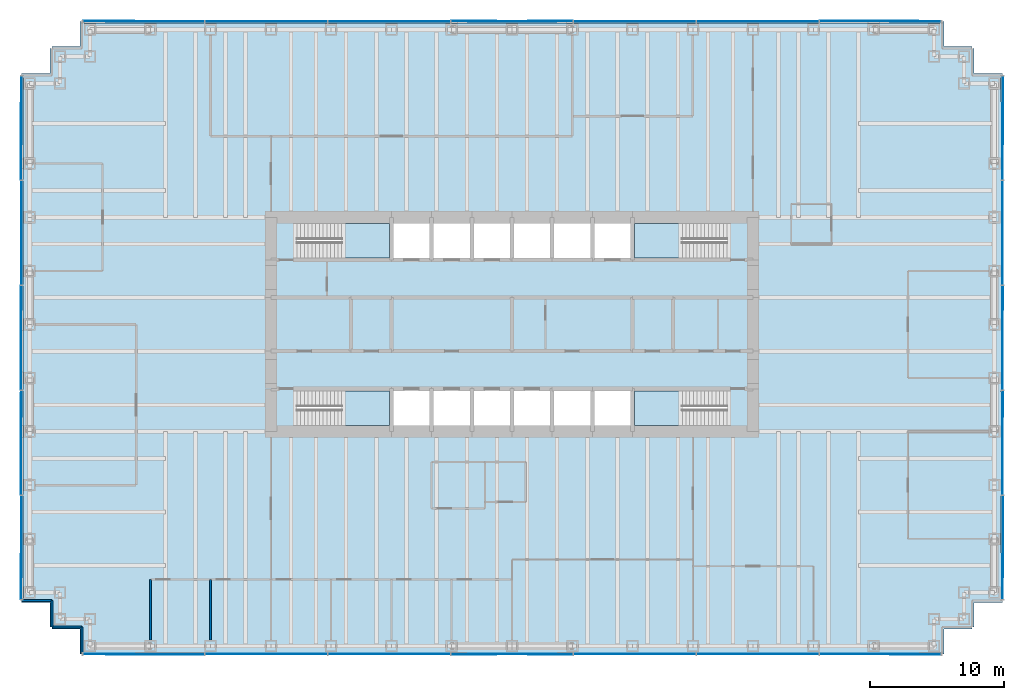
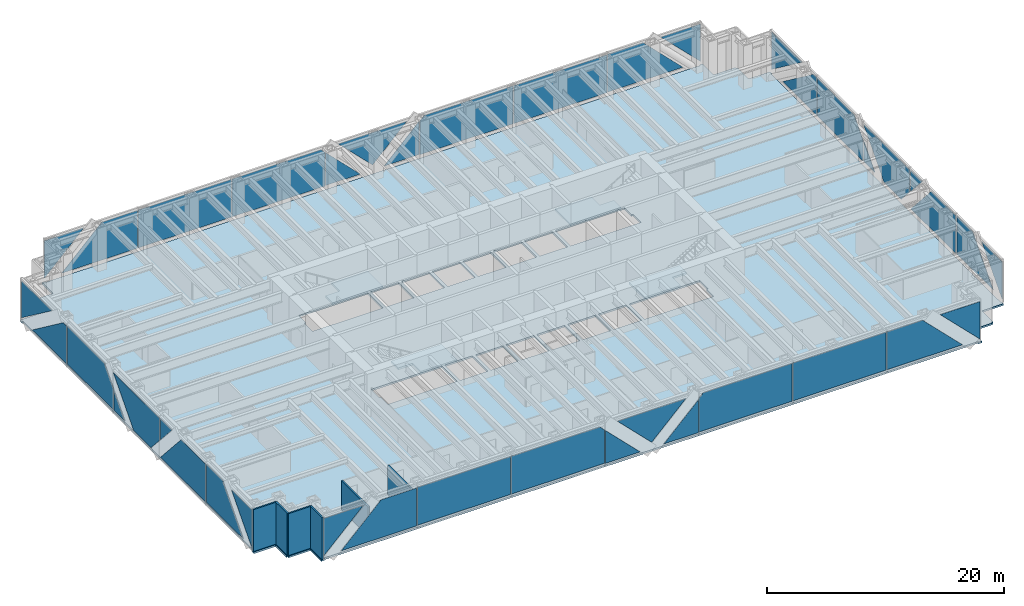
# One storey, part 8 of 13: 40 plates, 6 walls, 5 slabs, 8 elements without a shape of their own.
"""IFC4 building model written with IfcOpenShell, lengths in metres."""

from ifc_helpers import new_model, si_unit, direction, frame, frame_2d, origin, origin_2d, place, context, subcontext, project, spatial, polyline, rectangle, outline, extrude, material, layer, layer_set, type_object, element, aggregate, save


model = new_model("IFC4")

# Units and contexts
model_context = context("Model", 3, precision=1e-05, world=origin(), true_north=direction((0.0, 1.0)))
body_context = subcontext(model_context, "Body", "Model", "MODEL_VIEW")
ifc_project = project(units=[si_unit("LENGTHUNIT", "METRE"), si_unit("AREAUNIT", "SQUARE_METRE"), si_unit("VOLUMEUNIT", "CUBIC_METRE"), si_unit("PLANEANGLEUNIT", "RADIAN"), si_unit("MASSUNIT", "GRAM", prefix="KILO")], contexts=[model_context])

# Site, building, storey
site_placement = place(None, origin())
site = spatial("IfcSite", under=ifc_project, at=site_placement, CompositionType="ELEMENT")
building_placement = place(site_placement, origin())
building = spatial("IfcBuilding", under=site, at=building_placement, Name="Rheinbord Bourse Tower", CompositionType="ELEMENT")
storey_placement = place(building_placement, frame((0.0, 0.0, 63.5)))
storey = spatial("IfcBuildingStorey", under=building, at=storey_placement, Name="L13", CompositionType="ELEMENT", Elevation=63.5)

# Slab
ifc_material_1 = material(Name="Concrete C30/37", Category="concrete")
ifc_layer_1 = layer(ifc_material_1, 0.179931640625)
ifc_layer_set_1 = layer_set([ifc_layer_1], Name="COMPOSITE FLOOR SLAB 180")
slab_type_1 = type_object("IfcSlabType", Name="COMPOSITE FLOOR SLAB 180", PredefinedType="FLOOR", material=ifc_layer_set_1)
slab_1_placement = place(storey_placement, frame((0.0, 0.0, -0.179931640625)))
element("IfcSlab", 1, at=slab_1_placement, inside=storey, type_object=slab_type_1, Name="Floor slab L13", PredefinedType="FLOOR", context=body_context, shape_type="SweptSolid", body=[
    extrude(outline(polyline([(1.64990234375, 1.39990234375), (1.5, 1.39990234375), (1.5, 3.25), (-0.60009765625, 3.25), (-0.60009765625, 3.550048828125), (-0.5, 3.550048828125), (-0.5, 42.449951171875), (-0.60009765625, 42.449951171875), (-0.60009765625, 42.75), (1.5, 42.75), (1.5, 44.60009765625), (1.64990234375, 44.60009765625), (1.64990234375, 44.75), (3.75, 44.75), (3.75, 46.60009765625), (4.050048828125, 46.60009765625), (4.050048828125, 46.5), (67.949951171875, 46.5), (67.949951171875, 46.60009765625), (68.25, 46.60009765625), (68.25, 44.75), (70.35009765625, 44.75), (70.35009765625, 44.60009765625), (70.5, 44.60009765625), (70.5, 42.75), (72.60009765625, 42.75), (72.60009765625, 42.449951171875), (72.5, 42.449951171875), (72.5, 3.550048828125), (72.60009765625, 3.550048828125), (72.60009765625, 3.25), (70.5, 3.25), (70.5, 1.39990234375), (70.35009765625, 1.39990234375), (70.35009765625, 1.25), (68.25, 1.25), (68.25, -0.60009765625), (67.949951171875, -0.60009765625), (67.949951171875, -0.5), (4.050048828125, -0.5), (4.050048828125, -0.60009765625), (3.75, -0.60009765625), (3.75, 1.25), (1.64990234375, 1.25), (1.64990234375, 1.39990234375)]), holes=[polyline([(19.949951171875, 19.050048828125), (26.85009765625, 19.050048828125), (26.85009765625, 16.449951171875), (20.10009765625, 16.449951171875), (20.10009765625, 17.64990234375), (19.949951171875, 17.64990234375), (19.949951171875, 19.050048828125)]), polyline([(26.85009765625, 31.550048828125), (26.85009765625, 28.949951171875), (19.949951171875, 28.949951171875), (19.949951171875, 30.35009765625), (20.10009765625, 30.35009765625), (20.10009765625, 31.550048828125), (26.85009765625, 31.550048828125)]), polyline([(45.14990234375, 16.449951171875), (45.14990234375, 19.050048828125), (52.050048828125, 19.050048828125), (52.050048828125, 17.64990234375), (51.89990234375, 17.64990234375), (51.89990234375, 16.449951171875), (45.14990234375, 16.449951171875)]), polyline([(52.050048828125, 28.949951171875), (45.14990234375, 28.949951171875), (45.14990234375, 31.550048828125), (51.89990234375, 31.550048828125), (51.89990234375, 30.35009765625), (52.050048828125, 30.35009765625), (52.050048828125, 28.949951171875)]), polyline([(27.14990234375, 16.449951171875), (27.14990234375, 19.050048828125), (29.85009765625, 19.050048828125), (29.85009765625, 16.449951171875), (27.14990234375, 16.449951171875)]), polyline([(27.14990234375, 28.949951171875), (27.14990234375, 31.550048828125), (29.85009765625, 31.550048828125), (29.85009765625, 28.949951171875), (27.14990234375, 28.949951171875)]), polyline([(30.14990234375, 16.449951171875), (30.14990234375, 19.050048828125), (32.85009765625, 19.050048828125), (32.85009765625, 16.449951171875), (30.14990234375, 16.449951171875)]), polyline([(30.14990234375, 28.949951171875), (30.14990234375, 31.550048828125), (32.85009765625, 31.550048828125), (32.85009765625, 28.949951171875), (30.14990234375, 28.949951171875)]), polyline([(33.14990234375, 16.449951171875), (33.14990234375, 19.050048828125), (35.85009765625, 19.050048828125), (35.85009765625, 16.449951171875), (33.14990234375, 16.449951171875)]), polyline([(33.14990234375, 28.949951171875), (33.14990234375, 31.550048828125), (35.85009765625, 31.550048828125), (35.85009765625, 28.949951171875), (33.14990234375, 28.949951171875)]), polyline([(36.14990234375, 16.449951171875), (36.14990234375, 19.050048828125), (38.85009765625, 19.050048828125), (38.85009765625, 16.449951171875), (36.14990234375, 16.449951171875)]), polyline([(36.14990234375, 28.949951171875), (36.14990234375, 31.550048828125), (38.85009765625, 31.550048828125), (38.85009765625, 28.949951171875), (36.14990234375, 28.949951171875)]), polyline([(39.14990234375, 16.449951171875), (39.14990234375, 19.050048828125), (41.85009765625, 19.050048828125), (41.85009765625, 16.449951171875), (39.14990234375, 16.449951171875)]), polyline([(39.14990234375, 28.949951171875), (39.14990234375, 31.550048828125), (41.85009765625, 31.550048828125), (41.85009765625, 28.949951171875), (39.14990234375, 28.949951171875)]), polyline([(42.14990234375, 16.449951171875), (42.14990234375, 19.050048828125), (44.85009765625, 19.050048828125), (44.85009765625, 16.449951171875), (42.14990234375, 16.449951171875)]), polyline([(42.14990234375, 28.949951171875), (42.14990234375, 31.550048828125), (44.85009765625, 31.550048828125), (44.85009765625, 28.949951171875), (42.14990234375, 28.949951171875)])]), origin(), (0.0, 0.0, 1.0), 0.179931640625),
])

# Curtain wall, plates
ifc_material_2 = material(Name="Dark glass and black aluminium", Category="aluminium")
curtain_wall_type = type_object("IfcCurtainWallType", Name="CW1 DARK GLASS CURTAIN WALL", PredefinedType="USERDEFINED", material=ifc_material_2)
curtain_wall_1_placement = place(storey_placement, origin())
curtain_wall_1 = element("IfcCurtainWall", 2, at=curtain_wall_1_placement, inside=storey, type_object=curtain_wall_type, Name="Curtain wall CW1 S L13", ObjectType="UNITISED CURTAIN WALL", PredefinedType="USERDEFINED")
ifc_material_3 = material(Name="Dark tinted triple insulating glass", Category="glass")
ifc_layer_2 = layer(ifc_material_3, 0.0439453125)
ifc_layer_set_2 = layer_set([ifc_layer_2], Name="CW1 DARK GLASS PANEL")
plate_type = type_object("IfcPlateType", Name="CW1 DARK GLASS PANEL", PredefinedType="CURTAIN_PANEL", material=ifc_layer_set_2)
plate_1_placement = place(storey_placement, frame((17.6572265625, -0.60009765625, 0.300048828125), z_axis=(0.0, 0.0, 1.0), x_axis=(1.0, 0.0, 0.0)))
plate_1 = element("IfcPlate", 3, at=plate_1_placement, type_object=plate_type, Name="CW1 panel 2.1", PredefinedType="CURTAIN_PANEL", context=body_context, shape_type="SweptSolid", body=[
    extrude(rectangle(XDim=9.09130859375, YDim=0.0439453125, at=origin_2d()), origin(), (0.0, 0.0, 1.0), 3.89990234375),
])
plate_2_placement = place(storey_placement, frame((54.3427734375, -0.60009765625, 0.300048828125), z_axis=(0.0, 0.0, 1.0), x_axis=(1.0, 0.0, 0.0)))
plate_2 = element("IfcPlate", 4, at=plate_2_placement, type_object=plate_type, Name="CW1 panel 6.1", PredefinedType="CURTAIN_PANEL", context=body_context, shape_type="SweptSolid", body=[
    extrude(rectangle(XDim=9.09130859375, YDim=0.0439453125, at=origin_2d()), origin(), (0.0, 0.0, 1.0), 3.89990234375),
])
plate_3_placement = place(storey_placement, frame((3.97998046875, -0.6220703125, 4.199951171875), z_axis=(0.0, 1.0, 0.0), x_axis=(1.0, 0.0, 0.0)))
plate_3 = element("IfcPlate", 5, at=plate_3_placement, type_object=plate_type, Name="CW1 glass facet 1", PredefinedType="CURTAIN_PANEL", context=body_context, shape_type="SweptSolid", body=[
    extrude(outline(polyline([(0.0, 0.0), (3.864013671875, 0.0), (0.0, 3.864013671875), (0.0, 0.0)])), origin(), (0.0, 0.0, 1.0), 0.0439453125),
])
plate_4_placement = place(storey_placement, frame((13.031005859375, -0.6708984375, 4.199951171875), z_axis=(0.0, 1.0, 0.0), x_axis=(0.0, 0.0, -1.0)))
plate_4 = element("IfcPlate", 6, at=plate_4_placement, type_object=plate_type, Name="CW1 glass facet 2", PredefinedType="CURTAIN_PANEL", context=body_context, shape_type="SweptSolid", body=[
    extrude(outline(polyline([(0.0, 0.0), (3.89990234375, 0.0), (3.89990234375, 7.375), (0.0, 3.47509765625), (0.0, 0.0)])), origin(), (0.0, 0.0, 1.0), 0.0439453125),
])
plate_5_placement = place(storey_placement, frame((31.3740234375, -0.6220703125, 0.300048828125), z_axis=(0.0, 1.0, 0.0), x_axis=(-1.0, 0.0, 0.0)))
plate_5 = element("IfcPlate", 7, at=plate_5_placement, type_object=plate_type, Name="CW1 glass facet 1", PredefinedType="CURTAIN_PANEL", context=body_context, shape_type="SweptSolid", body=[
    extrude(outline(polyline([(0.0, 0.0), (9.091064453125, 0.0), (9.091064453125, 3.89990234375), (0.429931640625, 3.89990234375), (0.0, 3.469970703125), (0.0, 0.0)])), origin(), (0.0, 0.0, 1.0), 0.0439453125),
])
plate_6_placement = place(storey_placement, frame((31.4541015625, -0.6708984375, 0.300048828125), z_axis=(0.0, 1.0, 0.0), x_axis=(0.0, 0.0, 1.0)))
plate_6 = element("IfcPlate", 8, at=plate_6_placement, type_object=plate_type, Name="CW1 glass facet 1", PredefinedType="CURTAIN_PANEL", context=body_context, shape_type="SweptSolid", body=[
    extrude(outline(polyline([(0.0, 0.0), (3.389892578125, 0.0), (0.0, 3.389892578125), (0.0, 0.0)])), origin(), (0.0, 0.0, 1.0), 0.0439453125),
])
plate_7_placement = place(storey_placement, frame((39.343994140625, -0.6220703125, 4.199951171875), z_axis=(0.0, 1.0, 0.0), x_axis=(-0.707106781187, 0.0, -0.707106781187)))
plate_7 = element("IfcPlate", 9, at=plate_7_placement, type_object=plate_type, Name="CW1 glass facet 2", PredefinedType="CURTAIN_PANEL", context=body_context, shape_type="SweptSolid", body=[
    extrude(outline(polyline([(0.0, 0.0), (4.72900390625, 0.0), (4.72900390625, 4.72900390625), (0.0, 0.0)])), origin(), (0.0, 0.0, 1.0), 0.0439453125),
])
plate_8_placement = place(storey_placement, frame((40.5458984375, -0.6708984375, 0.300048828125), z_axis=(0.0, 1.0, 0.0), x_axis=(-1.0, 0.0, 0.0)))
plate_8 = element("IfcPlate", 10, at=plate_8_placement, type_object=plate_type, Name="CW1 glass facet 3", PredefinedType="CURTAIN_PANEL", context=body_context, shape_type="SweptSolid", body=[
    extrude(outline(polyline([(0.0, 0.0), (3.389892578125, 0.0), (0.0, 3.389892578125), (0.0, 0.0)])), origin(), (0.0, 0.0, 1.0), 0.0439453125),
])
plate_9_placement = place(storey_placement, frame((49.717041015625, -0.6220703125, 4.199951171875), z_axis=(0.0, 1.0, 0.0), x_axis=(0.0, 0.0, -1.0)))
plate_9 = element("IfcPlate", 11, at=plate_9_placement, type_object=plate_type, Name="CW1 glass facet 1", PredefinedType="CURTAIN_PANEL", context=body_context, shape_type="SweptSolid", body=[
    extrude(outline(polyline([(0.0, 0.0), (3.89990234375, 0.0), (3.89990234375, 9.091064453125), (0.429931640625, 9.091064453125), (0.0, 8.6611328125), (0.0, 0.0)])), origin(), (0.0, 0.0, 1.0), 0.0439453125),
])
plate_10_placement = place(storey_placement, frame((58.968994140625, -0.6220703125, 0.300048828125), z_axis=(0.0, 1.0, 0.0), x_axis=(0.0, 0.0, 1.0)))
plate_10 = element("IfcPlate", 12, at=plate_10_placement, type_object=plate_type, Name="CW1 glass facet 1", PredefinedType="CURTAIN_PANEL", context=body_context, shape_type="SweptSolid", body=[
    extrude(outline(polyline([(0.0, 0.0), (3.89990234375, 0.0), (3.89990234375, 3.47509765625), (0.0, 7.375), (0.0, 0.0)])), origin(), (0.0, 0.0, 1.0), 0.0439453125),
])
plate_11_placement = place(storey_placement, frame((68.02001953125, -0.6708984375, 4.199951171875), z_axis=(0.0, 1.0, 0.0), x_axis=(0.0, 0.0, -1.0)))
plate_11 = element("IfcPlate", 13, at=plate_11_placement, type_object=plate_type, Name="CW1 glass facet 2", PredefinedType="CURTAIN_PANEL", context=body_context, shape_type="SweptSolid", body=[
    extrude(outline(polyline([(0.0, 0.0), (3.864013671875, 0.0), (0.0, 3.864013671875), (0.0, 0.0)])), origin(), (0.0, 0.0, 1.0), 0.0439453125),
])
aggregate(curtain_wall_1, [plate_1, plate_2, plate_3, plate_4, plate_5, plate_6, plate_7, plate_8, plate_9, plate_10, plate_11])

curtain_wall_2_placement = place(storey_placement, origin())
curtain_wall_2 = element("IfcCurtainWall", 14, at=curtain_wall_2_placement, inside=storey, type_object=curtain_wall_type, Name="Curtain wall CW1 E L13", ObjectType="UNITISED CURTAIN WALL", PredefinedType="USERDEFINED")
plate_12_placement = place(storey_placement, frame((72.6220703125, 3.47998046875, 4.199951171875), z_axis=(-1.0, 0.0, 0.0), x_axis=(0.0, 1.0, 0.0)))
plate_12 = element("IfcPlate", 15, at=plate_12_placement, type_object=plate_type, Name="CW1 glass facet 1", PredefinedType="CURTAIN_PANEL", context=body_context, shape_type="SweptSolid", body=[
    extrude(outline(polyline([(0.0, 0.0), (3.444091796875, 0.0), (0.0, 3.8740234375), (0.0, 0.0)])), origin(), (0.0, 0.0, 1.0), 0.0439453125),
])
plate_13_placement = place(storey_placement, frame((72.6708984375, 11.199951171875, 4.199951171875), z_axis=(-1.0, 0.0, 0.0), x_axis=(0.0, 0.0, -1.0)))
plate_13 = element("IfcPlate", 16, at=plate_13_placement, type_object=plate_type, Name="CW1 glass facet 2", PredefinedType="CURTAIN_PANEL", context=body_context, shape_type="SweptSolid", body=[
    extrude(outline(polyline([(0.0, 0.0), (3.89990234375, 0.0), (3.89990234375, 6.1240234375), (0.0, 2.656982421875), (0.0, 0.0)])), origin(), (0.0, 0.0, 1.0), 0.0439453125),
])
plate_14_placement = place(storey_placement, frame((72.6220703125, 11.280029296875, 0.300048828125), z_axis=(-1.0, 0.0, 0.0), x_axis=(0.0, 0.0, 1.0)))
plate_14 = element("IfcPlate", 17, at=plate_14_placement, type_object=plate_type, Name="CW1 glass facet 1", PredefinedType="CURTAIN_PANEL", context=body_context, shape_type="SweptSolid", body=[
    extrude(outline(polyline([(0.0, 0.0), (3.89990234375, 0.0), (3.89990234375, 4.177001953125), (0.0, 7.64404296875), (0.0, 0.0)])), origin(), (0.0, 0.0, 1.0), 0.0439453125),
])
plate_15_placement = place(storey_placement, frame((72.6708984375, 19.0400390625, 4.199951171875), z_axis=(-1.0, 0.0, 0.0), x_axis=(0.0, 0.0, -1.0)))
plate_15 = element("IfcPlate", 18, at=plate_15_placement, type_object=plate_type, Name="CW1 glass facet 2", PredefinedType="CURTAIN_PANEL", context=body_context, shape_type="SweptSolid", body=[
    extrude(outline(polyline([(0.0, 0.0), (2.208984375, 0.0), (0.0, 1.964111328125), (0.0, 0.0)])), origin(), (0.0, 0.0, 1.0), 0.0439453125),
])
plate_16_placement = place(storey_placement, frame((72.6220703125, 20.54296875, 0.300048828125), z_axis=(-1.0, 0.0, 0.0), x_axis=(0.0, -0.664335537311, 0.74743447463)))
plate_16 = element("IfcPlate", 19, at=plate_16_placement, type_object=plate_type, Name="CW1 glass facet 1", PredefinedType="CURTAIN_PANEL", context=body_context, shape_type="SweptSolid", body=[
    extrude(outline(polyline([(0.0, 0.0), (2.141845703125, 0.0), (3.860107421875, 1.52734375), (-1.294921875, 7.327392578125), (-1.33154296875, 7.294677734375), (-1.93603515625, 2.177978515625), (0.0, 0.0)])), origin(), (0.0, 0.0, 1.0), 0.0439453125),
])
plate_17_placement = place(storey_placement, frame((72.6708984375, 26.8798828125, 0.300048828125), z_axis=(-1.0, 0.0, 0.0), x_axis=(0.0, -1.0, 0.0)))
plate_17 = element("IfcPlate", 20, at=plate_17_placement, type_object=plate_type, Name="CW1 glass facet 2", PredefinedType="CURTAIN_PANEL", context=body_context, shape_type="SweptSolid", body=[
    extrude(outline(polyline([(0.0, 0.0), (1.803955078125, 0.0), (0.0, 2.029052734375), (0.0, 0.0)])), origin(), (0.0, 0.0, 1.0), 0.0439453125),
])
plate_18_placement = place(storey_placement, frame((72.6220703125, 34.719970703125, 4.199951171875), z_axis=(-1.0, 0.0, 0.0), x_axis=(0.0, 0.0, -1.0)))
plate_18 = element("IfcPlate", 21, at=plate_18_placement, type_object=plate_type, Name="CW1 glass facet 1", PredefinedType="CURTAIN_PANEL", context=body_context, shape_type="SweptSolid", body=[
    extrude(outline(polyline([(0.0, 0.0), (3.89990234375, 0.0), (3.89990234375, 7.760009765625), (1.781005859375, 7.760009765625), (0.0, 6.177001953125), (0.0, 0.0)])), origin(), (0.0, 0.0, 1.0), 0.0439453125),
])
plate_19_placement = place(storey_placement, frame((72.6220703125, 34.800048828125, 0.300048828125), z_axis=(-1.0, 0.0, 0.0), x_axis=(0.0, 0.0, 1.0)))
plate_19 = element("IfcPlate", 22, at=plate_19_placement, type_object=plate_type, Name="CW1 glass facet 1", PredefinedType="CURTAIN_PANEL", context=body_context, shape_type="SweptSolid", body=[
    extrude(outline(polyline([(0.0, 0.0), (3.89990234375, 0.0), (3.89990234375, 0.592041015625), (0.0, 5.7919921875), (0.0, 0.0)])), origin(), (0.0, 0.0, 1.0), 0.0439453125),
])
plate_20_placement = place(storey_placement, frame((72.6708984375, 42.52001953125, 4.199951171875), z_axis=(-1.0, 0.0, 0.0), x_axis=(0.0, 0.0, -1.0)))
plate_20 = element("IfcPlate", 23, at=plate_20_placement, type_object=plate_type, Name="CW1 glass facet 2", PredefinedType="CURTAIN_PANEL", context=body_context, shape_type="SweptSolid", body=[
    extrude(outline(polyline([(0.0, 0.0), (3.833984375, 0.0), (0.0, 5.112060546875), (0.0, 0.0)])), origin(), (0.0, 0.0, 1.0), 0.0439453125),
])
aggregate(curtain_wall_2, [plate_12, plate_13, plate_14, plate_15, plate_16, plate_17, plate_18, plate_19, plate_20])

curtain_wall_3_placement = place(storey_placement, origin())
curtain_wall_3 = element("IfcCurtainWall", 24, at=curtain_wall_3_placement, inside=storey, type_object=curtain_wall_type, Name="Curtain wall CW1 N L13", ObjectType="UNITISED CURTAIN WALL", PredefinedType="USERDEFINED")
plate_21_placement = place(storey_placement, frame((54.3427734375, 46.60009765625, 0.300048828125), z_axis=(0.0, 0.0, 1.0), x_axis=(-1.0, 0.0, 0.0)))
plate_21 = element("IfcPlate", 25, at=plate_21_placement, type_object=plate_type, Name="CW1 panel 2.1", PredefinedType="CURTAIN_PANEL", context=body_context, shape_type="SweptSolid", body=[
    extrude(rectangle(XDim=9.09130859375, YDim=0.0439453125, at=origin_2d()), origin(), (0.0, 0.0, 1.0), 3.89990234375),
])
plate_22_placement = place(storey_placement, frame((17.6572265625, 46.60009765625, 0.300048828125), z_axis=(0.0, 0.0, 1.0), x_axis=(-1.0, 0.0, 0.0)))
plate_22 = element("IfcPlate", 26, at=plate_22_placement, type_object=plate_type, Name="CW1 panel 6.1", PredefinedType="CURTAIN_PANEL", context=body_context, shape_type="SweptSolid", body=[
    extrude(rectangle(XDim=9.09130859375, YDim=0.0439453125, at=origin_2d()), origin(), (0.0, 0.0, 1.0), 3.89990234375),
])
plate_23_placement = place(storey_placement, frame((68.02001953125, 46.6220703125, 4.199951171875), z_axis=(0.0, -1.0, 0.0), x_axis=(-1.0, 0.0, 0.0)))
plate_23 = element("IfcPlate", 27, at=plate_23_placement, type_object=plate_type, Name="CW1 glass facet 1", PredefinedType="CURTAIN_PANEL", context=body_context, shape_type="SweptSolid", body=[
    extrude(outline(polyline([(0.0, 0.0), (3.864013671875, 0.0), (0.0, 3.864013671875), (0.0, 0.0)])), origin(), (0.0, 0.0, 1.0), 0.0439453125),
])
plate_24_placement = place(storey_placement, frame((58.968994140625, 46.6708984375, 4.199951171875), z_axis=(0.0, -1.0, 0.0), x_axis=(0.0, 0.0, -1.0)))
plate_24 = element("IfcPlate", 28, at=plate_24_placement, type_object=plate_type, Name="CW1 glass facet 2", PredefinedType="CURTAIN_PANEL", context=body_context, shape_type="SweptSolid", body=[
    extrude(outline(polyline([(0.0, 0.0), (3.89990234375, 0.0), (3.89990234375, 7.375), (0.0, 3.47509765625), (0.0, 0.0)])), origin(), (0.0, 0.0, 1.0), 0.0439453125),
])
plate_25_placement = place(storey_placement, frame((40.6259765625, 46.6220703125, 0.300048828125), z_axis=(0.0, -1.0, 0.0), x_axis=(1.0, 0.0, 0.0)))
plate_25 = element("IfcPlate", 29, at=plate_25_placement, type_object=plate_type, Name="CW1 glass facet 1", PredefinedType="CURTAIN_PANEL", context=body_context, shape_type="SweptSolid", body=[
    extrude(outline(polyline([(0.0, 0.0), (9.091064453125, 0.0), (9.091064453125, 3.89990234375), (0.429931640625, 3.89990234375), (0.0, 3.469970703125), (0.0, 0.0)])), origin(), (0.0, 0.0, 1.0), 0.0439453125),
])
plate_26_placement = place(storey_placement, frame((40.5458984375, 46.6708984375, 0.300048828125), z_axis=(0.0, -1.0, 0.0), x_axis=(0.0, 0.0, 1.0)))
plate_26 = element("IfcPlate", 30, at=plate_26_placement, type_object=plate_type, Name="CW1 glass facet 1", PredefinedType="CURTAIN_PANEL", context=body_context, shape_type="SweptSolid", body=[
    extrude(outline(polyline([(0.0, 0.0), (3.389892578125, 0.0), (0.0, 3.389892578125), (0.0, 0.0)])), origin(), (0.0, 0.0, 1.0), 0.0439453125),
])
plate_27_placement = place(storey_placement, frame((32.656005859375, 46.6220703125, 4.199951171875), z_axis=(0.0, -1.0, 0.0), x_axis=(0.707106781187, 0.0, -0.707106781187)))
plate_27 = element("IfcPlate", 31, at=plate_27_placement, type_object=plate_type, Name="CW1 glass facet 2", PredefinedType="CURTAIN_PANEL", context=body_context, shape_type="SweptSolid", body=[
    extrude(outline(polyline([(0.0, 0.0), (4.72900390625, 0.0), (4.72900390625, 4.72900390625), (0.0, 0.0)])), origin(), (0.0, 0.0, 1.0), 0.0439453125),
])
plate_28_placement = place(storey_placement, frame((31.4541015625, 46.6708984375, 0.300048828125), z_axis=(0.0, -1.0, 0.0), x_axis=(1.0, 0.0, 0.0)))
plate_28 = element("IfcPlate", 32, at=plate_28_placement, type_object=plate_type, Name="CW1 glass facet 3", PredefinedType="CURTAIN_PANEL", context=body_context, shape_type="SweptSolid", body=[
    extrude(outline(polyline([(0.0, 0.0), (3.389892578125, 0.0), (0.0, 3.389892578125), (0.0, 0.0)])), origin(), (0.0, 0.0, 1.0), 0.0439453125),
])
plate_29_placement = place(storey_placement, frame((22.282958984375, 46.6220703125, 4.199951171875), z_axis=(0.0, -1.0, 0.0), x_axis=(0.0, 0.0, -1.0)))
plate_29 = element("IfcPlate", 33, at=plate_29_placement, type_object=plate_type, Name="CW1 glass facet 1", PredefinedType="CURTAIN_PANEL", context=body_context, shape_type="SweptSolid", body=[
    extrude(outline(polyline([(0.0, 0.0), (3.89990234375, 0.0), (3.89990234375, 9.091064453125), (0.429931640625, 9.091064453125), (0.0, 8.6611328125), (0.0, 0.0)])), origin(), (0.0, 0.0, 1.0), 0.0439453125),
])
plate_30_placement = place(storey_placement, frame((13.031005859375, 46.6220703125, 0.300048828125), z_axis=(0.0, -1.0, 0.0), x_axis=(0.0, 0.0, 1.0)))
plate_30 = element("IfcPlate", 34, at=plate_30_placement, type_object=plate_type, Name="CW1 glass facet 1", PredefinedType="CURTAIN_PANEL", context=body_context, shape_type="SweptSolid", body=[
    extrude(outline(polyline([(0.0, 0.0), (3.89990234375, 0.0), (3.89990234375, 3.47509765625), (0.0, 7.375), (0.0, 0.0)])), origin(), (0.0, 0.0, 1.0), 0.0439453125),
])
plate_31_placement = place(storey_placement, frame((3.97998046875, 46.6708984375, 4.199951171875), z_axis=(0.0, -1.0, 0.0), x_axis=(0.0, 0.0, -1.0)))
plate_31 = element("IfcPlate", 35, at=plate_31_placement, type_object=plate_type, Name="CW1 glass facet 2", PredefinedType="CURTAIN_PANEL", context=body_context, shape_type="SweptSolid", body=[
    extrude(outline(polyline([(0.0, 0.0), (3.864013671875, 0.0), (0.0, 3.864013671875), (0.0, 0.0)])), origin(), (0.0, 0.0, 1.0), 0.0439453125),
])
aggregate(curtain_wall_3, [plate_21, plate_22, plate_23, plate_24, plate_25, plate_26, plate_27, plate_28, plate_29, plate_30, plate_31])

curtain_wall_4_placement = place(storey_placement, origin())
curtain_wall_4 = element("IfcCurtainWall", 36, at=curtain_wall_4_placement, inside=storey, type_object=curtain_wall_type, Name="Curtain wall CW1 W L13", ObjectType="UNITISED CURTAIN WALL", PredefinedType="USERDEFINED")
plate_32_placement = place(storey_placement, frame((-0.6220703125, 42.52001953125, 4.199951171875), z_axis=(1.0, 0.0, 0.0), x_axis=(0.0, -1.0, 0.0)))
plate_32 = element("IfcPlate", 37, at=plate_32_placement, type_object=plate_type, Name="CW1 glass facet 1", PredefinedType="CURTAIN_PANEL", context=body_context, shape_type="SweptSolid", body=[
    extrude(outline(polyline([(0.0, 0.0), (5.112060546875, 0.0), (0.0, 3.833984375), (0.0, 0.0)])), origin(), (0.0, 0.0, 1.0), 0.0439453125),
])
plate_33_placement = place(storey_placement, frame((-0.6708984375, 34.800048828125, 4.199951171875), z_axis=(1.0, 0.0, 0.0), x_axis=(0.0, 0.0, -1.0)))
plate_33 = element("IfcPlate", 38, at=plate_33_placement, type_object=plate_type, Name="CW1 glass facet 2", PredefinedType="CURTAIN_PANEL", context=body_context, shape_type="SweptSolid", body=[
    extrude(outline(polyline([(0.0, 0.0), (3.89990234375, 0.0), (3.89990234375, 5.7919921875), (0.0, 0.592041015625), (0.0, 0.0)])), origin(), (0.0, 0.0, 1.0), 0.0439453125),
])
plate_34_placement = place(storey_placement, frame((-0.6220703125, 26.9599609375, 0.300048828125), z_axis=(1.0, 0.0, 0.0), x_axis=(0.0, 1.0, 0.0)))
plate_34 = element("IfcPlate", 39, at=plate_34_placement, type_object=plate_type, Name="CW1 glass facet 1", PredefinedType="CURTAIN_PANEL", context=body_context, shape_type="SweptSolid", body=[
    extrude(outline(polyline([(0.0, 0.0), (7.760009765625, 0.0), (7.760009765625, 3.89990234375), (1.5830078125, 3.89990234375), (0.0, 2.118896484375), (0.0, 0.0)])), origin(), (0.0, 0.0, 1.0), 0.0439453125),
])
plate_35_placement = place(storey_placement, frame((-0.6220703125, 26.8798828125, 0.300048828125), z_axis=(1.0, 0.0, 0.0), x_axis=(0.0, 0.0, 1.0)))
plate_35 = element("IfcPlate", 40, at=plate_35_placement, type_object=plate_type, Name="CW1 glass facet 1", PredefinedType="CURTAIN_PANEL", context=body_context, shape_type="SweptSolid", body=[
    extrude(outline(polyline([(0.0, 0.0), (2.029052734375, 0.0), (0.0, 1.803955078125), (0.0, 0.0)])), origin(), (0.0, 0.0, 1.0), 0.0439453125),
])
plate_36_placement = place(storey_placement, frame((-0.6708984375, 23.45703125, 0.300048828125), z_axis=(1.0, 0.0, 0.0), x_axis=(0.0, 0.664352073941, 0.747419776197)))
plate_36 = element("IfcPlate", 41, at=plate_36_placement, type_object=plate_type, Name="CW1 glass facet 2", PredefinedType="CURTAIN_PANEL", context=body_context, shape_type="SweptSolid", body=[
    extrude(outline(polyline([(0.0, 0.0), (5.152099609375, 0.0), (5.188720703125, 0.03271484375), (0.03369140625, 5.83251953125), (-1.684814453125, 4.304931640625), (-1.93603515625, 2.177978515625), (0.0, 0.0)])), origin(), (0.0, 0.0, 1.0), 0.0439453125),
])
plate_37_placement = place(storey_placement, frame((-0.6220703125, 19.0400390625, 4.199951171875), z_axis=(1.0, 0.0, 0.0), x_axis=(0.0, -1.0, 0.0)))
plate_37 = element("IfcPlate", 42, at=plate_37_placement, type_object=plate_type, Name="CW1 glass facet 1", PredefinedType="CURTAIN_PANEL", context=body_context, shape_type="SweptSolid", body=[
    extrude(outline(polyline([(0.0, 0.0), (1.964111328125, 0.0), (0.0, 2.208984375), (0.0, 0.0)])), origin(), (0.0, 0.0, 1.0), 0.0439453125),
])
plate_38_placement = place(storey_placement, frame((-0.6708984375, 11.280029296875, 4.199951171875), z_axis=(1.0, 0.0, 0.0), x_axis=(0.0, 0.0, -1.0)))
plate_38 = element("IfcPlate", 43, at=plate_38_placement, type_object=plate_type, Name="CW1 glass facet 2", PredefinedType="CURTAIN_PANEL", context=body_context, shape_type="SweptSolid", body=[
    extrude(outline(polyline([(0.0, 0.0), (3.89990234375, 0.0), (3.89990234375, 7.64404296875), (0.0, 4.177001953125), (0.0, 0.0)])), origin(), (0.0, 0.0, 1.0), 0.0439453125),
])
plate_39_placement = place(storey_placement, frame((-0.6220703125, 11.199951171875, 0.300048828125), z_axis=(1.0, 0.0, 0.0), x_axis=(0.0, 0.0, 1.0)))
plate_39 = element("IfcPlate", 44, at=plate_39_placement, type_object=plate_type, Name="CW1 glass facet 1", PredefinedType="CURTAIN_PANEL", context=body_context, shape_type="SweptSolid", body=[
    extrude(outline(polyline([(0.0, 0.0), (3.89990234375, 0.0), (3.89990234375, 2.656982421875), (0.0, 6.1240234375), (0.0, 0.0)])), origin(), (0.0, 0.0, 1.0), 0.0439453125),
])
plate_40_placement = place(storey_placement, frame((-0.6708984375, 3.47998046875, 4.199951171875), z_axis=(1.0, 0.0, 0.0), x_axis=(0.0, 0.0, -1.0)))
plate_40 = element("IfcPlate", 45, at=plate_40_placement, type_object=plate_type, Name="CW1 glass facet 2", PredefinedType="CURTAIN_PANEL", context=body_context, shape_type="SweptSolid", body=[
    extrude(outline(polyline([(0.0, 0.0), (3.8740234375, 0.0), (0.0, 3.444091796875), (0.0, 0.0)])), origin(), (0.0, 0.0, 1.0), 0.0439453125),
])
aggregate(curtain_wall_4, [plate_32, plate_33, plate_34, plate_35, plate_36, plate_37, plate_38, plate_39, plate_40])

# Stair, slab
ifc_material_4 = material(Name="Concrete C30/37", Category="concrete")
stair_type = type_object("IfcStairType", Name="CORE STAIR HALF TURN 4500", PredefinedType="HALF_TURN_STAIR", material=ifc_material_4)
stair_1_placement = place(storey_placement, origin())
stair_1 = element("IfcStair", 46, at=stair_1_placement, inside=storey, type_object=stair_type, Name="Stair ST1 L13, type CS4", PredefinedType="HALF_TURN_STAIR")
ifc_material_5 = material(Name="Concrete C30/37", Category="concrete")
ifc_layer_3 = layer(ifc_material_5, 0.199951171875)
ifc_layer_set_3 = layer_set([ifc_layer_3], Name="STAIR LANDING 200")
slab_type_2 = type_object("IfcSlabType", Name="STAIR LANDING 200", PredefinedType="LANDING", material=ifc_layer_set_3)
slab_2_placement = place(storey_placement, frame((0.0, 0.0, 2.050048828125)))
slab_2 = element("IfcSlab", 47, at=slab_2_placement, type_object=slab_type_2, Name="Half landing ST1 L13", PredefinedType="LANDING", context=body_context, shape_type="SweptSolid", body=[
    extrude(outline(polyline([(23.31005859375, 16.449951171875), (26.85009765625, 16.449951171875), (26.85009765625, 19.050048828125), (21.916015625, 19.050048828125), (21.916015625, 17.85009765625), (23.31005859375, 17.85009765625), (23.31005859375, 16.449951171875)])), origin(), (0.0, 0.0, 1.0), 0.199951171875),
])
aggregate(stair_1, [slab_2])

stair_2_placement = place(storey_placement, origin())
stair_2 = element("IfcStair", 48, at=stair_2_placement, inside=storey, type_object=stair_type, Name="Stair ST2 L13, type CS4", PredefinedType="HALF_TURN_STAIR")
slab_3_placement = place(storey_placement, frame((0.0, 0.0, 2.050048828125)))
slab_3 = element("IfcSlab", 49, at=slab_3_placement, type_object=slab_type_2, Name="Half landing ST2 L13", PredefinedType="LANDING", context=body_context, shape_type="SweptSolid", body=[
    extrude(outline(polyline([(21.916015625, 28.949951171875), (26.85009765625, 28.949951171875), (26.85009765625, 31.550048828125), (23.31005859375, 31.550048828125), (23.31005859375, 30.14990234375), (21.916015625, 30.14990234375), (21.916015625, 28.949951171875)])), origin(), (0.0, 0.0, 1.0), 0.199951171875),
])
aggregate(stair_2, [slab_3])

stair_3_placement = place(storey_placement, origin())
stair_3 = element("IfcStair", 50, at=stair_3_placement, inside=storey, type_object=stair_type, Name="Stair ST3 L13, type CS4", PredefinedType="HALF_TURN_STAIR")
slab_4_placement = place(storey_placement, frame((0.0, 0.0, 2.050048828125)))
slab_4 = element("IfcSlab", 51, at=slab_4_placement, type_object=slab_type_2, Name="Half landing ST3 L13", PredefinedType="LANDING", context=body_context, shape_type="SweptSolid", body=[
    extrude(outline(polyline([(45.14990234375, 16.449951171875), (48.68994140625, 16.449951171875), (48.68994140625, 17.85009765625), (50.083984375, 17.85009765625), (50.083984375, 19.050048828125), (45.14990234375, 19.050048828125), (45.14990234375, 16.449951171875)])), origin(), (0.0, 0.0, 1.0), 0.199951171875),
])
aggregate(stair_3, [slab_4])

stair_4_placement = place(storey_placement, origin())
stair_4 = element("IfcStair", 52, at=stair_4_placement, inside=storey, type_object=stair_type, Name="Stair ST4 L13, type CS4", PredefinedType="HALF_TURN_STAIR")
slab_5_placement = place(storey_placement, frame((0.0, 0.0, 2.050048828125)))
slab_5 = element("IfcSlab", 53, at=slab_5_placement, type_object=slab_type_2, Name="Half landing ST4 L13", PredefinedType="LANDING", context=body_context, shape_type="SweptSolid", body=[
    extrude(outline(polyline([(45.14990234375, 28.949951171875), (50.083984375, 28.949951171875), (50.083984375, 30.14990234375), (48.68994140625, 30.14990234375), (48.68994140625, 31.550048828125), (45.14990234375, 31.550048828125), (45.14990234375, 28.949951171875)])), origin(), (0.0, 0.0, 1.0), 0.199951171875),
])
aggregate(stair_4, [slab_5])

# Walls
ifc_material_6 = material(Name="Black metal rainscreen panel", Category="aluminium")
ifc_layer_4 = layer(ifc_material_6, 0.14990234375)
ifc_layer_set_4 = layer_set([ifc_layer_4], Name="CORNER PIER CLADDING 150")
wall_type_1 = type_object("IfcWallType", Name="CORNER PIER CLADDING 150", PredefinedType="ELEMENTEDWALL", material=ifc_layer_set_4)
wall_1_placement = place(storey_placement, frame((-0.60009765625, 3.39990234375, 0.0), z_axis=(0.0, 0.0, 1.0), x_axis=(1.0, 0.0, 0.0)))
element("IfcWall", 54, at=wall_1_placement, inside=storey, type_object=wall_type_1, Name="Corner pier cladding L13 17", PredefinedType="ELEMENTEDWALL", context=body_context, shape_type="SweptSolid", body=[
    extrude(rectangle(XDim=2.25, YDim=0.14990234375, at=frame_2d((1.125, 0.0))), origin(), (0.0, 0.0, 1.0), 4.320068359375),
])
wall_2_placement = place(storey_placement, frame((1.64990234375, 3.39990234375, 0.0), z_axis=(0.0, 0.0, 1.0), x_axis=(0.0, -1.0, 0.0)))
element("IfcWall", 55, at=wall_2_placement, inside=storey, type_object=wall_type_1, Name="Corner pier cladding L13 18", PredefinedType="ELEMENTEDWALL", context=body_context, shape_type="SweptSolid", body=[
    extrude(rectangle(XDim=2.0, YDim=0.14990234375, at=frame_2d((1.0, 0.0))), origin(), (0.0, 0.0, 1.0), 4.320068359375),
])
wall_3_placement = place(storey_placement, frame((1.64990234375, 1.39990234375, 0.0), z_axis=(0.0, 0.0, 1.0), x_axis=(1.0, 0.0, 0.0)))
element("IfcWall", 56, at=wall_3_placement, inside=storey, type_object=wall_type_1, Name="Corner pier cladding L13 19", PredefinedType="ELEMENTEDWALL", context=body_context, shape_type="SweptSolid", body=[
    extrude(rectangle(XDim=2.25, YDim=0.14990234375, at=frame_2d((1.125, 0.0))), origin(), (0.0, 0.0, 1.0), 4.320068359375),
])
wall_4_placement = place(storey_placement, frame((3.89990234375, 1.39990234375, 0.0), z_axis=(0.0, 0.0, 1.0), x_axis=(0.0, -1.0, 0.0)))
element("IfcWall", 57, at=wall_4_placement, inside=storey, type_object=wall_type_1, Name="Corner pier cladding L13 20", PredefinedType="ELEMENTEDWALL", context=body_context, shape_type="SweptSolid", body=[
    extrude(rectangle(XDim=2.0, YDim=0.14990234375, at=frame_2d((1.0, 0.0))), origin(), (0.0, 0.0, 1.0), 4.320068359375),
])
ifc_material_7 = material(Name="Gypsum board partition", Category="gypsum board")
ifc_layer_5 = layer(ifc_material_7, 0.14990234375)
ifc_layer_set_5 = layer_set([ifc_layer_5], Name="PARTITION 150")
wall_type_2 = type_object("IfcWallType", Name="PARTITION 150", PredefinedType="PARTITIONING", material=ifc_layer_set_5)
for number, where, z_axis, x_axis, name in (
    (58, (9.0, 0.449951171875, 0.0), (0.0, 0.0, 1.0), (0.0, 1.0, 0.0), "Partition L13-22"),
    (59, (13.5, 0.449951171875, 0.0), (0.0, 0.0, 1.0), (0.0, 1.0, 0.0), "Partition L13-23"),
):
    element("IfcWall", number, at=place(storey_placement, frame(where, z_axis=z_axis, x_axis=x_axis)), inside=storey, type_object=wall_type_2, Name=name, PredefinedType="PARTITIONING", context=body_context, shape_type="SweptSolid", body=[
        extrude(rectangle(XDim=4.5, YDim=0.14990234375, at=frame_2d((2.25, 0.0))), origin(), (0.0, 0.0, 1.0), 3.0),
    ])

save(model, "model.ifc")
